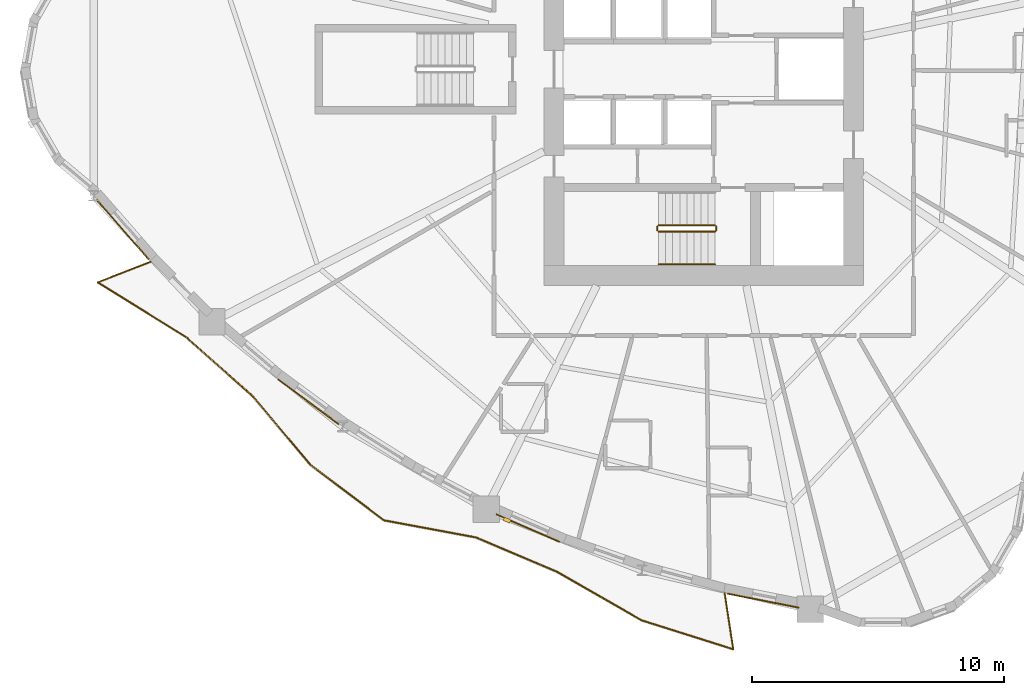
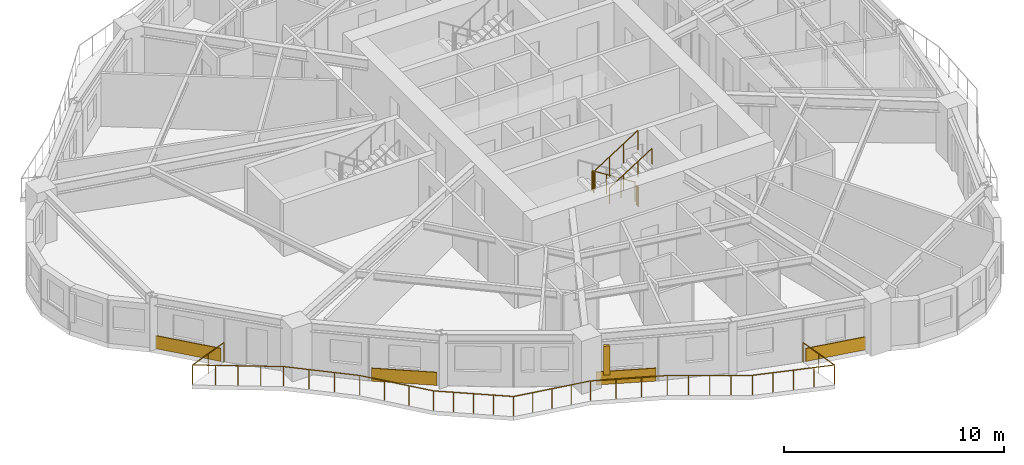
# One storey, part 10 of 13: 6 railings, 4 coverings, 1 shading device.
"""IFC4 building model written with IfcOpenShell, lengths in metres."""

from ifc_helpers import new_model, si_unit, direction, frame, origin, origin_2d, place, context, subcontext, project, spatial, rectangle, circle, extrude, source, transform, mapped, material, layer, layer_set, type_object, element, save


model = new_model("IFC4")

# Units and contexts
model_context = context("Model", 3, precision=1e-05, world=origin(), true_north=direction((0.0, 1.0)))
body_context = subcontext(model_context, "Body", "Model", "MODEL_VIEW")
ifc_project = project(units=[si_unit("LENGTHUNIT", "METRE"), si_unit("AREAUNIT", "SQUARE_METRE"), si_unit("VOLUMEUNIT", "CUBIC_METRE"), si_unit("PLANEANGLEUNIT", "RADIAN"), si_unit("MASSUNIT", "GRAM", prefix="KILO")], contexts=[model_context])

# Site, building, storey
site_placement = place(None, origin())
site = spatial("IfcSite", under=ifc_project, at=site_placement, CompositionType="ELEMENT")
building_placement = place(site_placement, origin())
building = spatial("IfcBuilding", under=site, at=building_placement, Name="Qafzar Sky-Pleat Residences", CompositionType="ELEMENT")
storey_placement = place(building_placement, frame((0.0, 0.0, 46.199951171875)))
storey = spatial("IfcBuildingStorey", under=building, at=storey_placement, Name="L13", CompositionType="ELEMENT", Elevation=46.199951171875)

# Shading device
ifc_material_1 = material(Name="Honed Riyadh limestone solar fin", Category="masonry")
ifc_layer_1 = layer(ifc_material_1, 0.139892578125)
ifc_layer_set_1 = layer_set([ifc_layer_1], Name="Honed Riyadh limestone solar fin")
shading_device_type = type_object("IfcShadingDeviceType", Name="SHD-FIN-STONE", PredefinedType="SHUTTER", material=ifc_layer_set_1)
shared_shape_1 = source(origin(), body_context, "Body", "SweptSolid", [
    extrude(rectangle(XDim=0.139892578125, YDim=0.280029296875, at=origin_2d()), origin(), (0.0, 0.0, 1.0), 1.60009765625),
])
shading_device_placement = place(storey_placement, frame((22.53759765625, 8.084716796875, 0.60009765625), z_axis=(0.0, 0.0, 1.0), x_axis=(-0.398699588189, -0.917081587634, 0.0)))
element("IfcShadingDevice", 1, at=shading_device_placement, inside=storey, type_object=shading_device_type, Name="L13 Limestone Solar Fin 13", PredefinedType="SHUTTER", context=body_context, shape_type="MappedRepresentation", body=[
    mapped(shared_shape_1, transform((0.0, 0.0, 0.0), x_axis=(1.0, 0.0, 0.0), y_axis=(0.0, 1.0, 0.0), z_axis=(0.0, 0.0, 1.0), scale=1.0)),
])

# Covering
ifc_material_2 = material(Name="Honed Riyadh Tuwaiq limestone cladding", Category="masonry")
ifc_layer_2 = layer(ifc_material_2, 0.044921875)
ifc_layer_set_2 = layer_set([ifc_layer_2], Name="Honed Riyadh Tuwaiq limestone cladding")
covering_type = type_object("IfcCoveringType", Name="COV-CLAD-STONE", PredefinedType="CLADDING", material=ifc_layer_set_2)
shared_shape_2 = source(origin(), body_context, "Body", "SweptSolid", [
    extrude(rectangle(XDim=2.994140625, YDim=0.044921875, at=origin_2d()), origin(), (0.0, 0.0, 1.0), 0.719970703125),
])
covering_1_placement = place(storey_placement, frame((14.642578125, 12.789306640625, 0.02001953125), z_axis=(0.0, 0.0, 1.0), x_axis=(0.803807401366, -0.594889621281, 0.0)))
element("IfcCovering", 2, at=covering_1_placement, inside=storey, type_object=covering_type, Name="L13 Riyadh Limestone Spandrel Cladding 10", PredefinedType="CLADDING", context=body_context, shape_type="MappedRepresentation", body=[
    mapped(shared_shape_2, transform((0.0, 0.0, 0.0), x_axis=(1.0, 0.0, 0.0), y_axis=(0.0, 1.0, 0.0), z_axis=(0.0, 0.0, 1.0), scale=1.0)),
])

# Railing
ifc_material_3 = material(Name="Laminated glass and bronze steel balustrade", Category="steel")
railing_type_1 = type_object("IfcRailingType", Name="RAIL-BAL-1100", PredefinedType="BALUSTRADE", material=ifc_material_3)
shared_shape_3 = source(origin(), body_context, "Body", "SweptSolid", [
    extrude(circle(Radius=0.02392578125, at=origin_2d()), frame((0.0, 0.0, 1.076171875), z_axis=(-0.93171786803, -0.363182893862, 0.0), x_axis=(0.363182893862, -0.93171786803, 0.0)), (0.0, 0.0, 1.0), 2.270751953125),
    extrude(circle(Radius=0.02392578125, at=origin_2d()), frame((-2.11572265625, -0.82470703125, 1.076171875), z_axis=(0.850296662272, -0.526303701421, 0.0), x_axis=(0.526303701421, 0.850296662272, 0.0)), (0.0, 0.0, 1.0), 4.127197265625),
    extrude(circle(Radius=0.02392578125, at=origin_2d()), frame((1.3935546875, -2.996826171875, 1.076171875), z_axis=(0.748455111542, -0.663185453706, 0.0), x_axis=(0.663185453706, 0.748455111542, 0.0)), (0.0, 0.0, 1.0), 3.538818359375),
    extrude(circle(Radius=0.02392578125, at=origin_2d()), frame((4.042236328125, -5.34375, 1.076171875), z_axis=(0.643013521092, -0.765854824162, 0.0), x_axis=(0.765854824162, 0.643013521092, 0.0)), (0.0, 0.0, 1.0), 3.5595703125),
    extrude(circle(Radius=0.02392578125, at=origin_2d()), frame((6.3310546875, -8.06982421875, 1.076171875), z_axis=(0.79831114189, -0.602245233053, 0.0), x_axis=(0.602245233053, 0.79831114189, 0.0)), (0.0, 0.0, 1.0), 3.6669921875),
    extrude(circle(Radius=0.02392578125, at=origin_2d()), frame((9.258544921875, -10.2783203125, 1.076171875), z_axis=(0.983148207627, -0.182810289209, 0.0), x_axis=(0.182810289209, 0.983148207627, 0.0)), (0.0, 0.0, 1.0), 3.7099609375),
    extrude(circle(Radius=0.02392578125, at=origin_2d()), frame((12.906005859375, -10.95654296875, 1.076171875), z_axis=(0.920590866575, -0.390528432228, 0.0), x_axis=(0.390528432228, 0.920590866575, 0.0)), (0.0, 0.0, 1.0), 3.513427734375),
    extrude(circle(Radius=0.02392578125, at=origin_2d()), frame((16.140380859375, -12.32861328125, 1.076171875), z_axis=(0.867705978012, -0.497077796449, 0.0), x_axis=(0.497077796449, 0.867705978012, 0.0)), (0.0, 0.0, 1.0), 3.86328125),
    extrude(circle(Radius=0.02392578125, at=origin_2d()), frame((19.49267578125, -14.2490234375, 1.076171875), z_axis=(0.953321364838, -0.301957572093, 0.0), x_axis=(0.301957572093, 0.953321364838, 0.0)), (0.0, 0.0, 1.0), 3.81787109375),
    extrude(circle(Radius=0.02392578125, at=origin_2d()), frame((23.13232421875, -15.40185546875, 1.076171875), z_axis=(-0.151168401391, 0.98850802446, 0.0), x_axis=(-0.98850802446, -0.151168401391, 0.0)), (0.0, 0.0, 1.0), 2.270751953125),
    extrude(circle(Radius=0.02099609375, at=origin_2d()), origin(), (0.0, 0.0, 1.0), 1.052001953125),
    extrude(circle(Radius=0.02099609375, at=origin_2d()), frame((-1.057861328125, -0.412353515625, 0.0)), (0.0, 0.0, 1.0), 1.052001953125),
    extrude(circle(Radius=0.02099609375, at=origin_2d()), frame((-2.11572265625, -0.82470703125, 0.0)), (0.0, 0.0, 1.0), 1.052001953125),
    extrude(circle(Radius=0.02099609375, at=origin_2d()), frame((-1.23828125, -1.36767578125, 0.0)), (0.0, 0.0, 1.0), 1.052001953125),
    extrude(circle(Radius=0.02099609375, at=origin_2d()), frame((-0.361083984375, -1.91064453125, 0.0)), (0.0, 0.0, 1.0), 1.052001953125),
    extrude(circle(Radius=0.02099609375, at=origin_2d()), frame((0.51611328125, -2.453857421875, 0.0)), (0.0, 0.0, 1.0), 1.052001953125),
    extrude(circle(Radius=0.02099609375, at=origin_2d()), frame((1.3935546875, -2.996826171875, 0.0)), (0.0, 0.0, 1.0), 1.052001953125),
    extrude(circle(Radius=0.02099609375, at=origin_2d()), frame((2.2763671875, -3.779052734375, 0.0)), (0.0, 0.0, 1.0), 1.052001953125),
    extrude(circle(Radius=0.02099609375, at=origin_2d()), frame((3.159423828125, -4.5615234375, 0.0)), (0.0, 0.0, 1.0), 1.052001953125),
    extrude(circle(Radius=0.02099609375, at=origin_2d()), frame((4.042236328125, -5.34375, 0.0)), (0.0, 0.0, 1.0), 1.052001953125),
    extrude(circle(Radius=0.02099609375, at=origin_2d()), frame((4.80517578125, -6.25244140625, 0.0)), (0.0, 0.0, 1.0), 1.052001953125),
    extrude(circle(Radius=0.02099609375, at=origin_2d()), frame((5.568115234375, -7.1611328125, 0.0)), (0.0, 0.0, 1.0), 1.052001953125),
    extrude(circle(Radius=0.02099609375, at=origin_2d()), frame((6.3310546875, -8.06982421875, 0.0)), (0.0, 0.0, 1.0), 1.052001953125),
    extrude(circle(Radius=0.02099609375, at=origin_2d()), frame((7.06298828125, -8.6220703125, 0.0)), (0.0, 0.0, 1.0), 1.052001953125),
    extrude(circle(Radius=0.02099609375, at=origin_2d()), frame((7.794921875, -9.174072265625, 0.0)), (0.0, 0.0, 1.0), 1.052001953125),
    extrude(circle(Radius=0.02099609375, at=origin_2d()), frame((8.526611328125, -9.72607421875, 0.0)), (0.0, 0.0, 1.0), 1.052001953125),
    extrude(circle(Radius=0.02099609375, at=origin_2d()), frame((9.258544921875, -10.2783203125, 0.0)), (0.0, 0.0, 1.0), 1.052001953125),
    extrude(circle(Radius=0.02099609375, at=origin_2d()), frame((10.17041015625, -10.44775390625, 0.0)), (0.0, 0.0, 1.0), 1.052001953125),
    extrude(circle(Radius=0.02099609375, at=origin_2d()), frame((11.082275390625, -10.617431640625, 0.0)), (0.0, 0.0, 1.0), 1.052001953125),
    extrude(circle(Radius=0.02099609375, at=origin_2d()), frame((11.994140625, -10.787109375, 0.0)), (0.0, 0.0, 1.0), 1.052001953125),
    extrude(circle(Radius=0.02099609375, at=origin_2d()), frame((12.906005859375, -10.95654296875, 0.0)), (0.0, 0.0, 1.0), 1.052001953125),
    extrude(circle(Radius=0.02099609375, at=origin_2d()), frame((13.984130859375, -11.413818359375, 0.0)), (0.0, 0.0, 1.0), 1.052001953125),
    extrude(circle(Radius=0.02099609375, at=origin_2d()), frame((15.062255859375, -11.871337890625, 0.0)), (0.0, 0.0, 1.0), 1.052001953125),
    extrude(circle(Radius=0.02099609375, at=origin_2d()), frame((16.140380859375, -12.32861328125, 0.0)), (0.0, 0.0, 1.0), 1.052001953125),
    extrude(circle(Radius=0.02099609375, at=origin_2d()), frame((16.978515625, -12.80859375, 0.0)), (0.0, 0.0, 1.0), 1.052001953125),
    extrude(circle(Radius=0.02099609375, at=origin_2d()), frame((17.81640625, -13.288818359375, 0.0)), (0.0, 0.0, 1.0), 1.052001953125),
    extrude(circle(Radius=0.02099609375, at=origin_2d()), frame((18.654541015625, -13.76904296875, 0.0)), (0.0, 0.0, 1.0), 1.052001953125),
    extrude(circle(Radius=0.02099609375, at=origin_2d()), frame((19.49267578125, -14.2490234375, 0.0)), (0.0, 0.0, 1.0), 1.052001953125),
    extrude(circle(Radius=0.02099609375, at=origin_2d()), frame((20.402587890625, -14.537109375, 0.0)), (0.0, 0.0, 1.0), 1.052001953125),
    extrude(circle(Radius=0.02099609375, at=origin_2d()), frame((21.3125, -14.825439453125, 0.0)), (0.0, 0.0, 1.0), 1.052001953125),
    extrude(circle(Radius=0.02099609375, at=origin_2d()), frame((22.222412109375, -15.11376953125, 0.0)), (0.0, 0.0, 1.0), 1.052001953125),
    extrude(circle(Radius=0.02099609375, at=origin_2d()), frame((23.13232421875, -15.40185546875, 0.0)), (0.0, 0.0, 1.0), 1.052001953125),
    extrude(circle(Radius=0.02099609375, at=origin_2d()), frame((22.960693359375, -14.279541015625, 0.0)), (0.0, 0.0, 1.0), 1.052001953125),
    extrude(circle(Radius=0.02099609375, at=origin_2d()), frame((22.7890625, -13.1572265625, 0.0)), (0.0, 0.0, 1.0), 1.052001953125),
])
railing_1_placement = place(storey_placement, frame((8.3935546875, 18.355224609375, 0.0)))
element("IfcRailing", 3, at=railing_1_placement, inside=storey, type_object=railing_type_1, Name="L13 Pleated Balcony 3 Balustrade", PredefinedType="BALUSTRADE", context=body_context, shape_type="MappedRepresentation", body=[
    mapped(shared_shape_3, transform((0.0, 0.0, 0.0), x_axis=(1.0, 0.0, 0.0), y_axis=(0.0, 1.0, 0.0), z_axis=(0.0, 0.0, 1.0), scale=1.0)),
])

# Coverings
shared_shape_4 = source(origin(), body_context, "Body", "SweptSolid", [
    extrude(rectangle(XDim=3.14306640625, YDim=0.044921875, at=origin_2d()), origin(), (0.0, 0.0, 1.0), 0.719970703125),
])
covering_2_placement = place(storey_placement, frame((7.264892578125, 19.632080078125, 0.02001953125), z_axis=(0.0, 0.0, 1.0), x_axis=(0.657622311353, -0.753347791933, 0.0)))
element("IfcCovering", 4, at=covering_2_placement, inside=storey, type_object=covering_type, Name="L13 Riyadh Limestone Spandrel Cladding 7", PredefinedType="CLADDING", context=body_context, shape_type="MappedRepresentation", body=[
    mapped(shared_shape_4, transform((0.0, 0.0, 0.0), x_axis=(1.0, 0.0, 0.0), y_axis=(0.0, 1.0, 0.0), z_axis=(0.0, 0.0, 1.0), scale=1.0)),
])
shared_shape_5 = source(origin(), body_context, "Body", "SweptSolid", [
    extrude(rectangle(XDim=2.7421875, YDim=0.044921875, at=origin_2d()), origin(), (0.0, 0.0, 1.0), 0.719970703125),
])
covering_3_placement = place(storey_placement, frame((23.3662109375, 7.77099609375, 0.02001953125), z_axis=(0.0, 0.0, 1.0), x_axis=(0.917073187075, -0.398718910448, 0.0)))
element("IfcCovering", 5, at=covering_3_placement, inside=storey, type_object=covering_type, Name="L13 Riyadh Limestone Spandrel Cladding 13", PredefinedType="CLADDING", context=body_context, shape_type="MappedRepresentation", body=[
    mapped(shared_shape_5, transform((0.0, 0.0, 0.0), x_axis=(1.0, 0.0, 0.0), y_axis=(0.0, 1.0, 0.0), z_axis=(0.0, 0.0, 1.0), scale=1.0)),
])
shared_shape_6 = source(origin(), body_context, "Body", "SweptSolid", [
    extrude(rectangle(XDim=2.89111328125, YDim=0.044921875, at=origin_2d()), origin(), (0.0, 0.0, 1.0), 0.719970703125),
])
covering_4_placement = place(storey_placement, frame((32.71533203125, 4.885986328125, 0.02001953125), z_axis=(0.0, 0.0, 1.0), x_axis=(0.981234834966, -0.192816489568, 0.0)))
element("IfcCovering", 6, at=covering_4_placement, inside=storey, type_object=covering_type, Name="L13 Riyadh Limestone Spandrel Cladding 16", PredefinedType="CLADDING", context=body_context, shape_type="MappedRepresentation", body=[
    mapped(shared_shape_6, transform((0.0, 0.0, 0.0), x_axis=(1.0, 0.0, 0.0), y_axis=(0.0, 1.0, 0.0), z_axis=(0.0, 0.0, 1.0), scale=1.0)),
])

# Railings
ifc_material_4 = material(Name="Painted Steel S355 stair guardrail", Category="steel")
railing_type_2 = type_object("IfcRailingType", Name="RAIL-STAIR-GUARD", PredefinedType="GUARDRAIL", material=ifc_material_4)
shared_shape_7 = source(origin(), body_context, "Body", "SweptSolid", [
    extrude(circle(Radius=0.02392578125, at=origin_2d()), frame((0.0, 0.0, 1.076171875), z_axis=(0.0, -1.0, 0.0), x_axis=(1.0, 0.0, 0.0)), (0.0, 0.0, 1.0), 0.14990234375),
    extrude(circle(Radius=0.02099609375, at=origin_2d()), origin(), (0.0, 0.0, 1.0), 1.052001953125),
    extrude(circle(Radius=0.02099609375, at=origin_2d()), frame((0.0, -0.14990234375, 0.0)), (0.0, 0.0, 1.0), 1.052001953125),
])
for number, where, name in (
    (7, (28.510009765625, 19.75, 1.60009765625), "L13 ST1 stair guard 2"),
    (8, (30.85009765625, 19.75, 0.0), "L13 ST1 stair guard 4"),
):
    element("IfcRailing", number, at=place(storey_placement, frame(where)), inside=storey, type_object=railing_type_2, Name=name, PredefinedType="GUARDRAIL", context=body_context, shape_type="MappedRepresentation", body=[
        mapped(shared_shape_7, transform((0.0, 0.0, 0.0), x_axis=(1.0, 0.0, 0.0), y_axis=(0.0, 1.0, 0.0), z_axis=(0.0, 0.0, 1.0), scale=1.0)),
    ])
shared_shape_8 = source(origin(), body_context, "Body", "SweptSolid", [
    extrude(circle(Radius=0.02392578125, at=origin_2d()), frame((0.0, 0.0, 1.076171875), z_axis=(0.8442293374, 0.0, 0.53598211339), x_axis=(0.0, 1.0, 0.0)), (0.0, 0.0, 1.0), 2.6533203125),
    extrude(circle(Radius=0.02099609375, at=origin_2d()), origin(), (0.0, 0.0, 1.0), 1.052001953125),
    extrude(circle(Radius=0.02099609375, at=origin_2d()), frame((0.74658203125, 0.0, 0.47412109375)), (0.0, 0.0, 1.0), 1.052001953125),
    extrude(circle(Radius=0.02099609375, at=origin_2d()), frame((1.493408203125, 0.0, 0.947998046875)), (0.0, 0.0, 1.0), 1.052001953125),
    extrude(circle(Radius=0.02099609375, at=origin_2d()), frame((2.239990234375, 0.0, 1.422119140625)), (0.0, 0.0, 1.0), 1.052001953125),
])
railing_2_placement = place(storey_placement, frame((28.56005859375, 19.550048828125, 1.77783203125)))
element("IfcRailing", 9, at=railing_2_placement, inside=storey, type_object=railing_type_2, Name="L13 ST1 stair guard 3", PredefinedType="GUARDRAIL", context=body_context, shape_type="MappedRepresentation", body=[
    mapped(shared_shape_8, transform((0.0, 0.0, 0.0), x_axis=(1.0, 0.0, 0.0), y_axis=(0.0, 1.0, 0.0), z_axis=(0.0, 0.0, 1.0), scale=1.0)),
])
ifc_material_5 = material(Name="Brushed stainless steel handrail", Category="steel")
railing_type_3 = type_object("IfcRailingType", Name="RAIL-STAIR-HAND", PredefinedType="HANDRAIL", material=ifc_material_5)
shared_shape_9 = source(origin(), body_context, "Body", "SweptSolid", [
    extrude(circle(Radius=0.02392578125, at=origin_2d()), frame((0.0, 0.0, 0.8759765625), z_axis=(0.8442293374, 0.0, 0.53598211339), x_axis=(0.0, 1.0, 0.0)), (0.0, 0.0, 1.0), 2.6533203125),
    extrude(circle(Radius=0.02099609375, at=origin_2d()), origin(), (0.0, 0.0, 1.0), 0.851806640625),
    extrude(circle(Radius=0.02099609375, at=origin_2d()), frame((0.74658203125, 0.0, 0.47412109375)), (0.0, 0.0, 1.0), 0.851806640625),
    extrude(circle(Radius=0.02099609375, at=origin_2d()), frame((1.493408203125, 0.0, 0.947998046875)), (0.0, 0.0, 1.0), 0.851806640625),
    extrude(circle(Radius=0.02099609375, at=origin_2d()), frame((2.239990234375, 0.0, 1.422119140625)), (0.0, 0.0, 1.0), 0.851806640625),
])
railing_3_placement = place(storey_placement, frame((28.56005859375, 18.25, 1.77783203125)))
element("IfcRailing", 10, at=railing_3_placement, inside=storey, type_object=railing_type_3, Name="L13 ST1 stair handrail 2", PredefinedType="HANDRAIL", context=body_context, shape_type="MappedRepresentation", body=[
    mapped(shared_shape_9, transform((0.0, 0.0, 0.0), x_axis=(1.0, 0.0, 0.0), y_axis=(0.0, 1.0, 0.0), z_axis=(0.0, 0.0, 1.0), scale=1.0)),
])
shared_shape_10 = source(origin(), body_context, "Body", "SweptSolid", [
    extrude(circle(Radius=0.02392578125, at=origin_2d()), frame((0.0, 0.0, 1.076171875), z_axis=(-0.84418770128, 0.0, 0.536047689118), x_axis=(0.0, -1.0, 0.0)), (0.0, 0.0, 1.0), 2.6533203125),
    extrude(circle(Radius=0.02099609375, at=origin_2d()), origin(), (0.0, 0.0, 1.0), 1.052001953125),
    extrude(circle(Radius=0.02099609375, at=origin_2d()), frame((-0.74658203125, 0.0, 0.47412109375)), (0.0, 0.0, 1.0), 1.052001953125),
    extrude(circle(Radius=0.02099609375, at=origin_2d()), frame((-1.493408203125, 0.0, 0.9482421875)), (0.0, 0.0, 1.0), 1.052001953125),
    extrude(circle(Radius=0.02099609375, at=origin_2d()), frame((-2.239990234375, 0.0, 1.42236328125)), (0.0, 0.0, 1.0), 1.052001953125),
])
railing_4_placement = place(storey_placement, frame((30.800048828125, 19.800048828125, 0.177734375)))
element("IfcRailing", 11, at=railing_4_placement, inside=storey, type_object=railing_type_2, Name="L13 ST1 stair guard 1", PredefinedType="GUARDRAIL", context=body_context, shape_type="MappedRepresentation", body=[
    mapped(shared_shape_10, transform((0.0, 0.0, 0.0), x_axis=(1.0, 0.0, 0.0), y_axis=(0.0, 1.0, 0.0), z_axis=(0.0, 0.0, 1.0), scale=1.0)),
])

save(model, "model.ifc")
